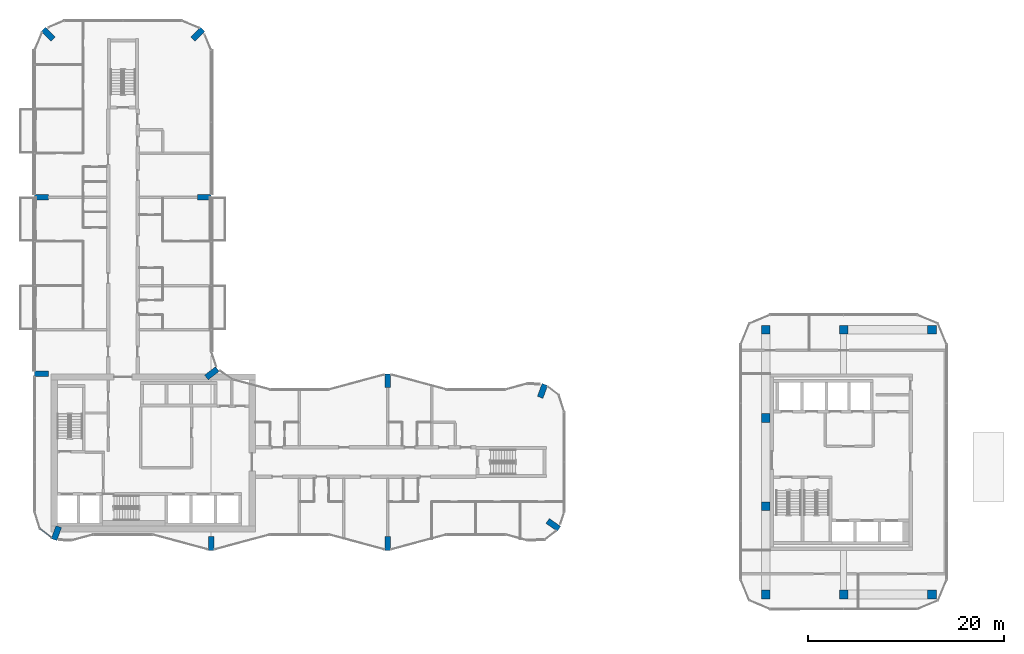
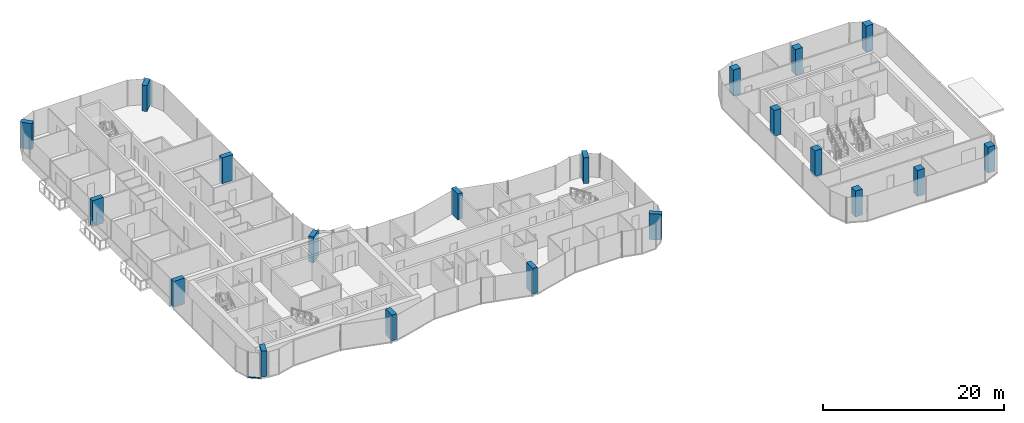
# One storey, part 1 of 19: 20 columns, 1 member, 1 element without a shape of its own.
"""IFC4 building model written with IfcOpenShell, lengths in metres."""

from ifc_helpers import new_model, si_unit, direction, frame, origin, origin_2d, place, context, subcontext, project, spatial, rectangle, extrude, material, layer, layer_set, material_profile, profile_set, type_object, element, aggregate, save


model = new_model("IFC4")

# Units and contexts
model_context = context("Model", 3, precision=1e-05, world=origin(), true_north=direction((0.0, 1.0)))
body_context = subcontext(model_context, "Body", "Model", "MODEL_VIEW")
ifc_project = project(units=[si_unit("LENGTHUNIT", "METRE"), si_unit("AREAUNIT", "SQUARE_METRE"), si_unit("VOLUMEUNIT", "CUBIC_METRE"), si_unit("PLANEANGLEUNIT", "RADIAN"), si_unit("MASSUNIT", "GRAM", prefix="KILO")], contexts=[model_context])

# Site, building, storey
site_placement = place(None, origin())
site = spatial("IfcSite", under=ifc_project, at=site_placement, CompositionType="ELEMENT")
building_placement = place(site_placement, origin())
building = spatial("IfcBuilding", under=site, at=building_placement, Name="Plateau Cross Towers", CompositionType="ELEMENT")
storey_placement = place(building_placement, frame((0.0, 0.0, 120.300048828125)))
storey = spatial("IfcBuildingStorey", under=building, at=storey_placement, Name="L31", CompositionType="ELEMENT", Elevation=120.300048828125)

# Columns
ifc_material_1 = material(Name="Concrete C60/75", Category="concrete")
ifc_material_profile_1 = material_profile(ifc_material_1, rectangle(XDim=0.60009765625, YDim=1.39990234375, at=origin_2d()), Name="RC 600x1400")
ifc_profile_set_1 = profile_set([ifc_material_profile_1], Name="Concrete C60/75")
column_type_1 = type_object("IfcColumnType", Name="Fin pier column RC 600x1400", PredefinedType="COLUMN", material=ifc_profile_set_1)
for number, where, z_axis, x_axis, name in (
    (1, (18.0, 0.699951171875, 0.0), (0.0, 0.0, 1.0), (1.0, 0.0, 0.0), "PR1 L31"),
    (2, (36.0, 0.699951171875, 0.0), (0.0, 0.0, 1.0), (1.0, 0.0, 0.0), "PR2 L31"),
    (3, (52.884033203125, 2.590087890625, 0.0), (0.0, 0.0, 1.0), (0.573542637991, 0.819175709117, 0.0), "PR3 L31"),
    (4, (51.786865234375, 16.251953125, 0.0), (0.0, 0.0, 1.0), (-0.939664280925, 0.342097996418, 0.0), "PR4 L31"),
    (5, (36.0, 17.300048828125, 0.0), (0.0, 0.0, 1.0), (1.0, 0.0, 0.0), "PR5 L31"),
    (6, (18.064697265625, 18.049560546875, 0.0), (0.0, 0.0, 1.0), (-0.608810846443, 0.793315418515, 0.0), "PR6 L31"),
    (7, (17.300048828125, 36.0, 0.0), (0.0, 0.0, 1.0), (0.0, 1.0, 0.0), "PR7 L31"),
    (8, (16.62646484375, 52.62646484375, 0.0), (0.0, 0.0, 1.0), (-0.707106781187, 0.707106781187, 0.0), "PR8 L31"),
    (9, (1.37353515625, 52.62646484375, 0.0), (0.0, 0.0, 1.0), (0.707106781187, 0.707106781187, 0.0), "PR9 L31"),
    (10, (0.699951171875, 36.0, 0.0), (0.0, 0.0, 1.0), (0.0, 1.0, 0.0), "PR10 L31"),
    (11, (0.699951171875, 18.0, 0.0), (0.0, 0.0, 1.0), (0.0, 1.0, 0.0), "PR11 L31"),
    (12, (2.213134765625, 1.748046875, 0.0), (0.0, 0.0, 1.0), (-0.939664280925, 0.342097996418, 0.0), "PR12 L31"),
):
    element("IfcColumn", number, at=place(storey_placement, frame(where, z_axis=z_axis, x_axis=x_axis)), inside=storey, type_object=column_type_1, Name=name, PredefinedType="COLUMN", context=body_context, shape_type="SweptSolid", body=[
        extrude(rectangle(XDim=0.60009765625, YDim=1.39990234375, at=origin_2d()), origin(), (0.0, 0.0, 1.0), 3.5),
    ])
ifc_material_profile_2 = material_profile(ifc_material_1, rectangle(XDim=0.89990234375, YDim=0.89990234375, at=origin_2d()), Name="RC 900x900")
ifc_profile_set_2 = profile_set([ifc_material_profile_2], Name="Concrete C60/75")
column_type_2 = type_object("IfcColumnType", Name="Office column RC 900x900", PredefinedType="COLUMN", material=ifc_profile_set_2)
for number, where, z_axis, x_axis, name in (
    (13, (74.550048828125, -4.5, 0.0), (0.0, 0.0, 1.0), (1.0, 0.0, 0.0), "B-C746_-45 L31"),
    (14, (82.5, -4.5, 0.0), (0.0, 0.0, 1.0), (1.0, 0.0, 0.0), "B-C825_-45 L31"),
    (15, (91.5, -4.5, 0.0), (0.0, 0.0, 1.0), (1.0, 0.0, 0.0), "B-C915_-45 L31"),
    (16, (91.5, 22.5, 0.0), (0.0, 0.0, 1.0), (1.0, 0.0, 0.0), "B-C915_225 L31"),
    (17, (82.5, 22.5, 0.0), (0.0, 0.0, 1.0), (1.0, 0.0, 0.0), "B-C825_225 L31"),
    (18, (74.550048828125, 22.5, 0.0), (0.0, 0.0, 1.0), (1.0, 0.0, 0.0), "B-C746_225 L31"),
    (19, (74.550048828125, 13.5, 0.0), (0.0, 0.0, 1.0), (1.0, 0.0, 0.0), "B-C746_135 L31"),
    (20, (74.550048828125, 4.5, 0.0), (0.0, 0.0, 1.0), (1.0, 0.0, 0.0), "B-C746_45 L31"),
):
    element("IfcColumn", number, at=place(storey_placement, frame(where, z_axis=z_axis, x_axis=x_axis)), inside=storey, type_object=column_type_2, Name=name, PredefinedType="COLUMN", context=body_context, shape_type="SweptSolid", body=[
        extrude(rectangle(XDim=0.89990234375, YDim=0.89990234375, at=origin_2d()), origin(), (0.0, 0.0, 1.0), 3.5),
    ])

# Curtain wall, member
ifc_material_2 = material(Name="Dark low-iron glass", Category="glass")
ifc_layer = layer(ifc_material_2, 0.239990234375)
ifc_layer_set = layer_set([ifc_layer], Name="Dark low-iron glass")
curtain_wall_type = type_object("IfcCurtainWallType", Name="Curtain wall flush unitised CW-B", PredefinedType="NOTDEFINED", material=ifc_layer_set)
curtain_wall_placement = place(storey_placement, origin())
curtain_wall = element("IfcCurtainWall", 21, at=curtain_wall_placement, inside=storey, type_object=curtain_wall_type, Name="ENV/A/L31/A5_22", PredefinedType="NOTDEFINED")
ifc_material_3 = material(Name="Black anodised aluminium", Category="aluminium")
ifc_material_profile_3 = material_profile(ifc_material_3, rectangle(XDim=0.10009765625, YDim=0.1201171875, at=origin_2d()), Name="TRANSOM 100x120")
ifc_profile_set_3 = profile_set([ifc_material_profile_3], Name="Black anodised aluminium")
member_type = type_object("IfcMemberType", Name="Transom 100x120 flush unitised", PredefinedType="USERDEFINED", material=ifc_profile_set_3)
member_placement = place(storey_placement, frame((0.54248046875, 2.1884765625, -0.18994140625), z_axis=(0.793320508571, -0.608804213751, 0.0), x_axis=(0.608804213751, 0.793320508571, 0.0)))
member = element("IfcMember", 22, at=member_placement, type_object=member_type, Name="CW-B transom", ObjectType="TRANSOM", PredefinedType="USERDEFINED", context=body_context, shape_type="SweptSolid", body=[
    extrude(rectangle(XDim=0.10009765625, YDim=0.1201171875, at=origin_2d()), origin(), (0.0, 0.0, 1.0), 1.471435546875),
])
aggregate(curtain_wall, [member])

save(model, "model.ifc")
